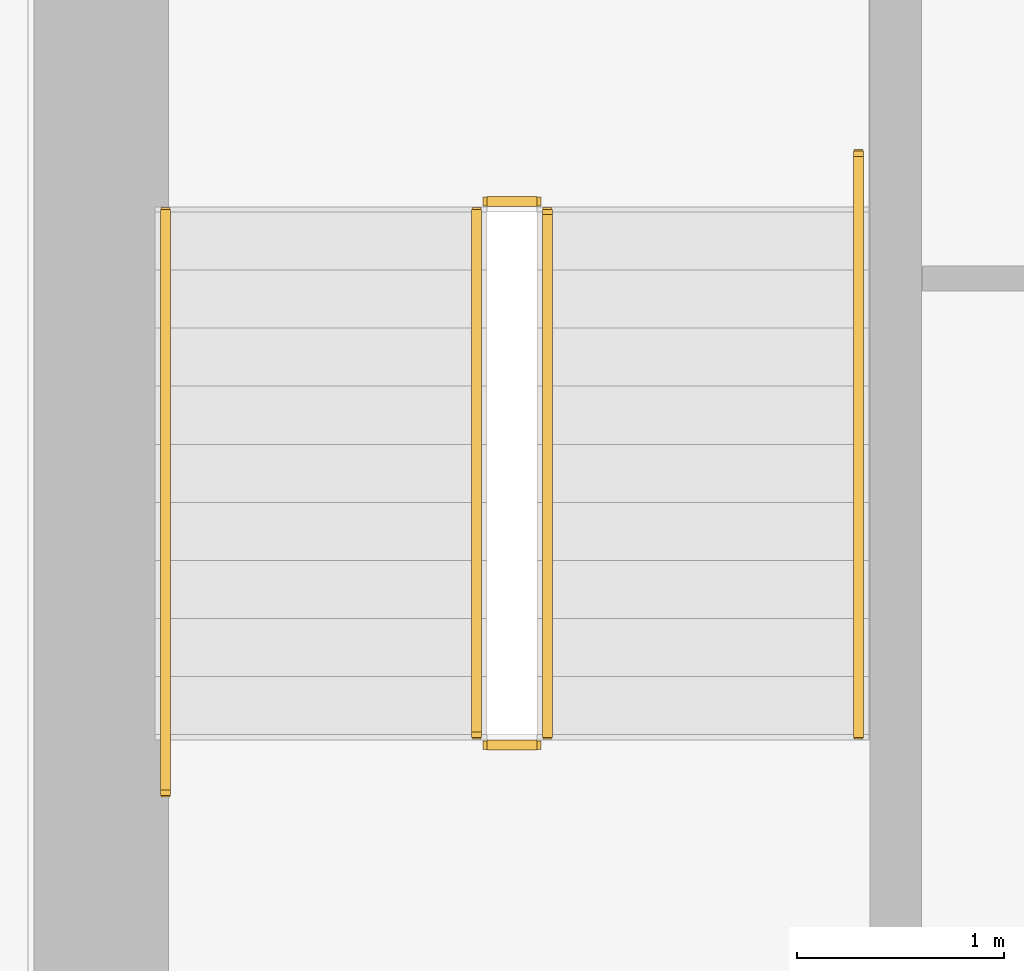
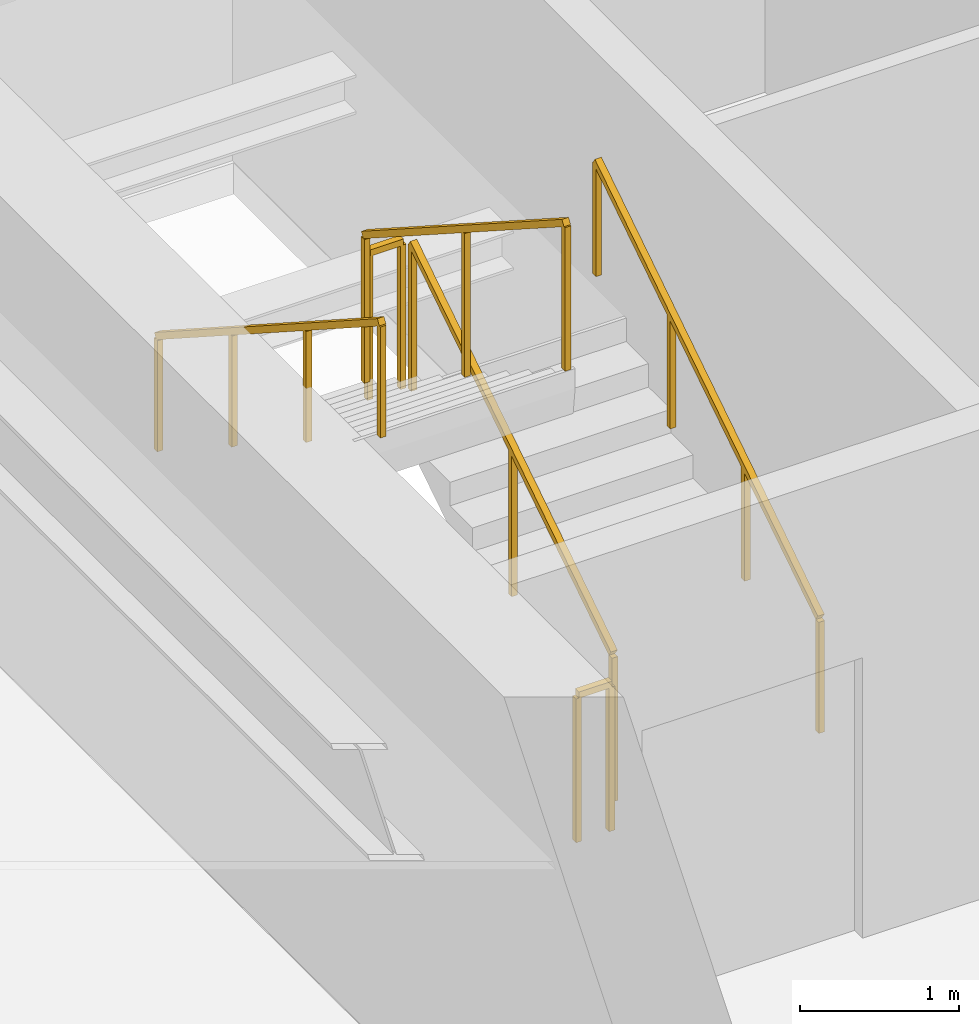
# One storey, part 34 of 37: 6 railings.
"""IFC4 building model written with IfcOpenShell, lengths in metres."""

from ifc_helpers import new_model, si_unit, direction, frame, origin, origin_2d, place, context, subcontext, project, spatial, rectangle, extrude, material, type_object, element, save


model = new_model("IFC4")

# Units and contexts
model_context = context("Model", 3, precision=1e-05, world=origin(), true_north=direction((0.0, 1.0)))
body_context = subcontext(model_context, "Body", "Model", "MODEL_VIEW")
ifc_project = project(units=[si_unit("LENGTHUNIT", "METRE"), si_unit("AREAUNIT", "SQUARE_METRE"), si_unit("VOLUMEUNIT", "CUBIC_METRE"), si_unit("PLANEANGLEUNIT", "RADIAN"), si_unit("MASSUNIT", "GRAM", prefix="KILO")], contexts=[model_context])

# Site, building, storey
site_placement = place(None, origin())
site = spatial("IfcSite", under=ifc_project, at=site_placement, CompositionType="ELEMENT")
building_placement = place(site_placement, origin())
building = spatial("IfcBuilding", under=site, at=building_placement, Name="Sumidabori Civic Tower", CompositionType="ELEMENT")
storey_placement = place(building_placement, frame((0.0, 0.0, 117.199951171875)))
storey = spatial("IfcBuildingStorey", under=building, at=storey_placement, Name="L30", CompositionType="ELEMENT", Elevation=117.199951171875)

# Railings
ifc_material_1 = material(Name="Stainless Steel Hairline Finish", Category="steel")
railing_type_1 = type_object("IfcRailingType", Name="RL-HANDRAIL", PredefinedType="HANDRAIL", material=ifc_material_1)
railing_1_placement = place(storey_placement, frame((-11.949951171875, 16.0, 0.179931640625)))
element("IfcRailing", 1, at=railing_1_placement, inside=storey, type_object=railing_type_1, Name="L30 ST-1 stair handrail 1", PredefinedType="HANDRAIL", context=body_context, shape_type="SweptSolid", body=[
    extrude(rectangle(XDim=0.048095703125, YDim=0.048095703125, at=origin_2d()), frame((0.0, 0.0, 0.8759765625), z_axis=(0.0, 0.84064222762, 0.54159084662), x_axis=(-1.0, 0.0, 0.0)), (0.0, 0.0, 1.0), 3.330810546875),
    extrude(rectangle(XDim=0.0419921875, YDim=0.0419921875, at=origin_2d()), origin(), (0.0, 0.0, 1.0), 0.851806640625),
    extrude(rectangle(XDim=0.0419921875, YDim=0.0419921875, at=origin_2d()), frame((0.0, 0.933349609375, 0.601318359375)), (0.0, 0.0, 1.0), 0.851806640625),
    extrude(rectangle(XDim=0.0419921875, YDim=0.0419921875, at=origin_2d()), frame((0.0, 1.86669921875, 1.20263671875)), (0.0, 0.0, 1.0), 0.851806640625),
    extrude(rectangle(XDim=0.0419921875, YDim=0.0419921875, at=origin_2d()), frame((0.0, 2.800048828125, 1.803955078125)), (0.0, 0.0, 1.0), 0.851806640625),
])
railing_2_placement = place(storey_placement, frame((-15.2900390625, 18.52001953125, 1.97998046875)))
element("IfcRailing", 2, at=railing_2_placement, inside=storey, type_object=railing_type_1, Name="L30 ST-1 stair handrail 2", PredefinedType="HANDRAIL", context=body_context, shape_type="SweptSolid", body=[
    extrude(rectangle(XDim=0.048095703125, YDim=0.048095703125, at=origin_2d()), frame((0.0, 0.0, 0.8759765625), z_axis=(0.0, -0.84064222762, 0.54159084662), x_axis=(1.0, 0.0, 0.0)), (0.0, 0.0, 1.0), 3.330810546875),
    extrude(rectangle(XDim=0.0419921875, YDim=0.0419921875, at=origin_2d()), origin(), (0.0, 0.0, 1.0), 0.851806640625),
    extrude(rectangle(XDim=0.0419921875, YDim=0.0419921875, at=origin_2d()), frame((0.0, -0.933349609375, 0.601318359375)), (0.0, 0.0, 1.0), 0.851806640625),
    extrude(rectangle(XDim=0.0419921875, YDim=0.0419921875, at=origin_2d()), frame((0.0, -1.86669921875, 1.20263671875)), (0.0, 0.0, 1.0), 0.851806640625),
    extrude(rectangle(XDim=0.0419921875, YDim=0.0419921875, at=origin_2d()), frame((0.0, -2.800048828125, 1.803955078125)), (0.0, 0.0, 1.0), 0.851806640625),
])
ifc_material_2 = material(Name="Steel SN490", Category="steel")
railing_type_2 = type_object("IfcRailingType", Name="RL-STAIR-GUARD", PredefinedType="GUARDRAIL", material=ifc_material_2)
railing_3_placement = place(storey_placement, frame((-13.449951171875, 16.0, 0.179931640625)))
element("IfcRailing", 3, at=railing_3_placement, inside=storey, type_object=railing_type_2, Name="L30 ST-1 stair guard 1", PredefinedType="GUARDRAIL", context=body_context, shape_type="SweptSolid", body=[
    extrude(rectangle(XDim=0.048095703125, YDim=0.048095703125, at=origin_2d()), frame((0.0, 0.0, 1.1259765625), z_axis=(0.0, 0.841162588446, 0.540782303519), x_axis=(-1.0, 0.0, 0.0)), (0.0, 0.0, 1.0), 2.995849609375),
    extrude(rectangle(XDim=0.0419921875, YDim=0.0419921875, at=origin_2d()), origin(), (0.0, 0.0, 1.0), 1.101806640625),
    extrude(rectangle(XDim=0.0419921875, YDim=0.0419921875, at=origin_2d()), frame((0.0, 1.260009765625, 0.81005859375)), (0.0, 0.0, 1.0), 1.101806640625),
    extrude(rectangle(XDim=0.0419921875, YDim=0.0419921875, at=origin_2d()), frame((0.0, 2.52001953125, 1.6201171875)), (0.0, 0.0, 1.0), 1.101806640625),
])
railing_4_placement = place(storey_placement, frame((-13.5, 18.570068359375, 1.800048828125)))
element("IfcRailing", 4, at=railing_4_placement, inside=storey, type_object=railing_type_2, Name="L30 ST-1 stair guard 2", PredefinedType="GUARDRAIL", context=body_context, shape_type="SweptSolid", body=[
    extrude(rectangle(XDim=0.048095703125, YDim=0.048095703125, at=origin_2d()), frame((0.0, 0.0, 1.1259765625), z_axis=(-1.0, 0.0, 0.0), x_axis=(0.0, -1.0, 0.0)), (0.0, 0.0, 1.0), 0.239990234375),
    extrude(rectangle(XDim=0.0419921875, YDim=0.0419921875, at=origin_2d()), origin(), (0.0, 0.0, 1.0), 1.101806640625),
    extrude(rectangle(XDim=0.0419921875, YDim=0.0419921875, at=origin_2d()), frame((-0.239990234375, 0.0, 0.0)), (0.0, 0.0, 1.0), 1.101806640625),
])
railing_5_placement = place(storey_placement, frame((-13.7900390625, 18.52001953125, 1.97998046875)))
element("IfcRailing", 5, at=railing_5_placement, inside=storey, type_object=railing_type_2, Name="L30 ST-1 stair guard 3", PredefinedType="GUARDRAIL", context=body_context, shape_type="SweptSolid", body=[
    extrude(rectangle(XDim=0.048095703125, YDim=0.048095703125, at=origin_2d()), frame((0.0, 0.0, 1.1259765625), z_axis=(0.0, -0.841162588446, 0.540782303519), x_axis=(1.0, 0.0, 0.0)), (0.0, 0.0, 1.0), 2.995849609375),
    extrude(rectangle(XDim=0.0419921875, YDim=0.0419921875, at=origin_2d()), origin(), (0.0, 0.0, 1.0), 1.101806640625),
    extrude(rectangle(XDim=0.0419921875, YDim=0.0419921875, at=origin_2d()), frame((0.0, -1.260009765625, 0.81005859375)), (0.0, 0.0, 1.0), 1.101806640625),
    extrude(rectangle(XDim=0.0419921875, YDim=0.0419921875, at=origin_2d()), frame((0.0, -2.52001953125, 1.6201171875)), (0.0, 0.0, 1.0), 1.101806640625),
])
railing_6_placement = place(storey_placement, frame((-13.5, 15.949951171875, 0.0)))
element("IfcRailing", 6, at=railing_6_placement, inside=storey, type_object=railing_type_2, Name="L30 ST-1 stair guard 4", PredefinedType="GUARDRAIL", context=body_context, shape_type="SweptSolid", body=[
    extrude(rectangle(XDim=0.048095703125, YDim=0.048095703125, at=origin_2d()), frame((0.0, 0.0, 1.1259765625), z_axis=(-1.0, 0.0, 0.0), x_axis=(0.0, -1.0, 0.0)), (0.0, 0.0, 1.0), 0.239990234375),
    extrude(rectangle(XDim=0.0419921875, YDim=0.0419921875, at=origin_2d()), origin(), (0.0, 0.0, 1.0), 1.101806640625),
    extrude(rectangle(XDim=0.0419921875, YDim=0.0419921875, at=origin_2d()), frame((-0.239990234375, 0.0, 0.0)), (0.0, 0.0, 1.0), 1.101806640625),
])

save(model, "model.ifc")
